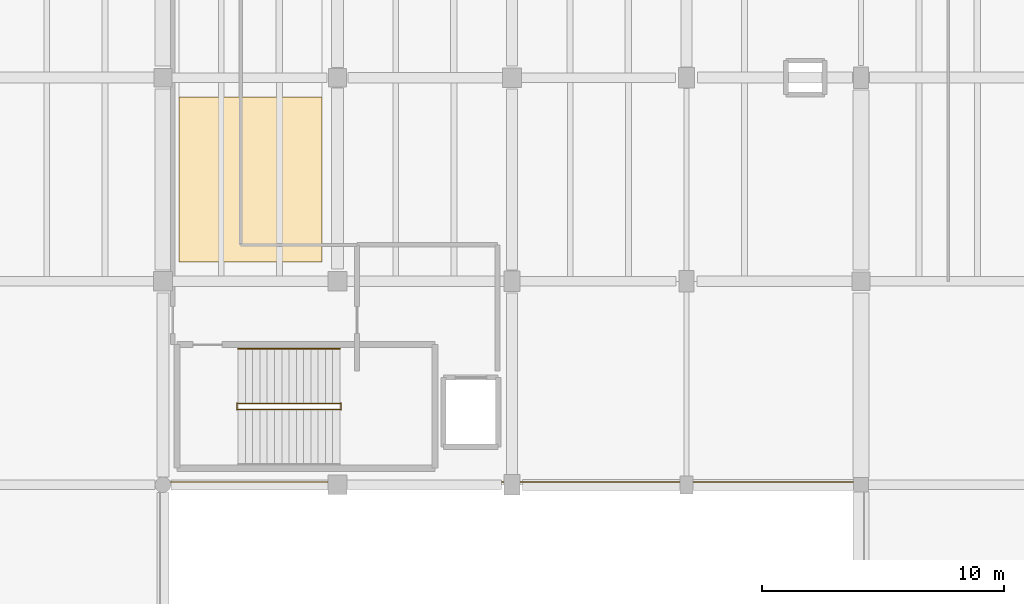
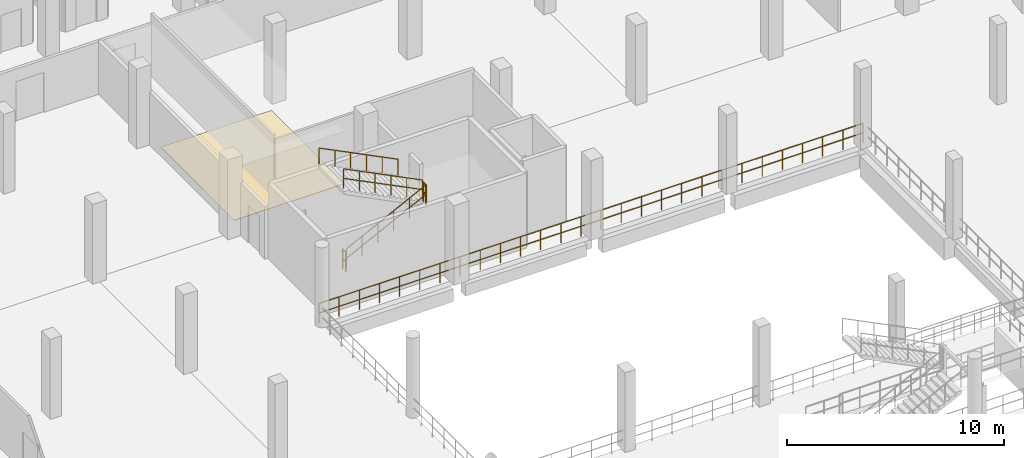
# One storey, part 120 of 124: 6 railings, 1 covering.
"""IFC4 building model written with IfcOpenShell, lengths in metres."""

from ifc_helpers import new_model, si_unit, direction, frame, origin, origin_2d, place, context, subcontext, project, spatial, polyline, circle, outline, extrude, material, layer, layer_set, type_object, element, save


model = new_model("IFC4")

# Units and contexts
model_context = context("Model", 3, precision=1e-05, world=origin(), true_north=direction((0.0, 1.0)))
body_context = subcontext(model_context, "Body", "Model", "MODEL_VIEW")
ifc_project = project(units=[si_unit("LENGTHUNIT", "METRE"), si_unit("AREAUNIT", "SQUARE_METRE"), si_unit("VOLUMEUNIT", "CUBIC_METRE"), si_unit("PLANEANGLEUNIT", "RADIAN"), si_unit("MASSUNIT", "GRAM", prefix="KILO")], contexts=[model_context])

# Site, building, storey
site_placement = place(None, origin())
site = spatial("IfcSite", under=ifc_project, at=site_placement, CompositionType="ELEMENT")
building_placement = place(site_placement, origin())
building = spatial("IfcBuilding", under=site, at=building_placement, Name="Kalluvel Institute of Natural Sciences", CompositionType="ELEMENT")
storey_placement = place(building_placement, frame((0.0, 0.0, 9.89990234375)))
storey = spatial("IfcBuildingStorey", under=building, at=storey_placement, Name="L02", CompositionType="ELEMENT", Elevation=9.89990234375)

# Covering
ifc_material_1 = material(Name="Seamless Chemical-Resistant Epoxy Flooring", Category="resin")
ifc_layer = layer(ifc_material_1, 0.014892578125)
ifc_layer_set = layer_set([ifc_layer], Name="Seamless Chemical-Resistant Epoxy Flooring")
covering_type = type_object("IfcCoveringType", Name="COV-FLR-EPOXY", PredefinedType="FLOORING", material=ifc_layer_set)
covering_placement = place(storey_placement, origin())
element("IfcCovering", 1, at=covering_placement, inside=storey, type_object=covering_type, Name="L02 seamless epoxy laboratory floor finish 6", PredefinedType="FLOORING", context=body_context, shape_type="SweptSolid", body=[
    extrude(outline(polyline([(43.449951171875, 103.60009765625), (49.35009765625, 103.60009765625), (49.35009765625, 110.39990234375), (43.449951171875, 110.39990234375), (43.449951171875, 103.60009765625)])), origin(), (0.0, 0.0, 1.0), 0.01513671875),
])

# Railings
ifc_material_2 = material(Name="Galvanized Fire-Rated Steel", Category="steel")
railing_type_1 = type_object("IfcRailingType", Name="RL-GD-ATRIUM", PredefinedType="BALUSTRADE", material=ifc_material_2)
railing_1_placement = place(storey_placement, frame((71.679931640625, 94.52001953125, 0.0)))
element("IfcRailing", 2, at=railing_1_placement, inside=storey, type_object=railing_type_1, Name="L02 Interaction Atrium void safety balustrade N", PredefinedType="BALUSTRADE", context=body_context, shape_type="SweptSolid", body=[
    extrude(circle(Radius=0.02392578125, at=origin_2d()), frame((0.0, 0.0, 1.09619140625), z_axis=(-1.0, 0.0, 0.0), x_axis=(0.0, -1.0, 0.0)), (0.0, 0.0, 1.0), 28.9599609375),
    extrude(circle(Radius=0.02392578125, at=origin_2d()), frame((0.0, 0.0, 0.56005859375), z_axis=(-1.0, 0.0, 0.0), x_axis=(0.0, -1.0, 0.0)), (0.0, 0.0, 1.0), 28.9599609375),
    extrude(circle(Radius=0.02099609375, at=origin_2d()), origin(), (0.0, 0.0, 1.0), 1.072021484375),
    extrude(circle(Radius=0.02099609375, at=origin_2d()), frame((-1.072509765625, 0.0, 0.0)), (0.0, 0.0, 1.0), 1.072021484375),
    extrude(circle(Radius=0.02099609375, at=origin_2d()), frame((-2.145263671875, 0.0, 0.0)), (0.0, 0.0, 1.0), 1.072021484375),
    extrude(circle(Radius=0.02099609375, at=origin_2d()), frame((-3.2177734375, 0.0, 0.0)), (0.0, 0.0, 1.0), 1.072021484375),
    extrude(circle(Radius=0.02099609375, at=origin_2d()), frame((-4.290283203125, 0.0, 0.0)), (0.0, 0.0, 1.0), 1.072021484375),
    extrude(circle(Radius=0.02099609375, at=origin_2d()), frame((-5.363037109375, 0.0, 0.0)), (0.0, 0.0, 1.0), 1.072021484375),
    extrude(circle(Radius=0.02099609375, at=origin_2d()), frame((-6.435546875, 0.0, 0.0)), (0.0, 0.0, 1.0), 1.072021484375),
    extrude(circle(Radius=0.02099609375, at=origin_2d()), frame((-7.508056640625, 0.0, 0.0)), (0.0, 0.0, 1.0), 1.072021484375),
    extrude(circle(Radius=0.02099609375, at=origin_2d()), frame((-8.580810546875, 0.0, 0.0)), (0.0, 0.0, 1.0), 1.072021484375),
    extrude(circle(Radius=0.02099609375, at=origin_2d()), frame((-9.6533203125, 0.0, 0.0)), (0.0, 0.0, 1.0), 1.072021484375),
    extrude(circle(Radius=0.02099609375, at=origin_2d()), frame((-10.725830078125, 0.0, 0.0)), (0.0, 0.0, 1.0), 1.072021484375),
    extrude(circle(Radius=0.02099609375, at=origin_2d()), frame((-11.798583984375, 0.0, 0.0)), (0.0, 0.0, 1.0), 1.072021484375),
    extrude(circle(Radius=0.02099609375, at=origin_2d()), frame((-12.87109375, 0.0, 0.0)), (0.0, 0.0, 1.0), 1.072021484375),
    extrude(circle(Radius=0.02099609375, at=origin_2d()), frame((-13.943603515625, 0.0, 0.0)), (0.0, 0.0, 1.0), 1.072021484375),
    extrude(circle(Radius=0.02099609375, at=origin_2d()), frame((-15.016357421875, 0.0, 0.0)), (0.0, 0.0, 1.0), 1.072021484375),
    extrude(circle(Radius=0.02099609375, at=origin_2d()), frame((-16.0888671875, 0.0, 0.0)), (0.0, 0.0, 1.0), 1.072021484375),
    extrude(circle(Radius=0.02099609375, at=origin_2d()), frame((-17.161376953125, 0.0, 0.0)), (0.0, 0.0, 1.0), 1.072021484375),
    extrude(circle(Radius=0.02099609375, at=origin_2d()), frame((-18.234130859375, 0.0, 0.0)), (0.0, 0.0, 1.0), 1.072021484375),
    extrude(circle(Radius=0.02099609375, at=origin_2d()), frame((-19.306640625, 0.0, 0.0)), (0.0, 0.0, 1.0), 1.072021484375),
    extrude(circle(Radius=0.02099609375, at=origin_2d()), frame((-20.379150390625, 0.0, 0.0)), (0.0, 0.0, 1.0), 1.072021484375),
    extrude(circle(Radius=0.02099609375, at=origin_2d()), frame((-21.451904296875, 0.0, 0.0)), (0.0, 0.0, 1.0), 1.072021484375),
    extrude(circle(Radius=0.02099609375, at=origin_2d()), frame((-22.5244140625, 0.0, 0.0)), (0.0, 0.0, 1.0), 1.072021484375),
    extrude(circle(Radius=0.02099609375, at=origin_2d()), frame((-23.596923828125, 0.0, 0.0)), (0.0, 0.0, 1.0), 1.072021484375),
    extrude(circle(Radius=0.02099609375, at=origin_2d()), frame((-24.669677734375, 0.0, 0.0)), (0.0, 0.0, 1.0), 1.072021484375),
    extrude(circle(Radius=0.02099609375, at=origin_2d()), frame((-25.7421875, 0.0, 0.0)), (0.0, 0.0, 1.0), 1.072021484375),
    extrude(circle(Radius=0.02099609375, at=origin_2d()), frame((-26.814697265625, 0.0, 0.0)), (0.0, 0.0, 1.0), 1.072021484375),
    extrude(circle(Radius=0.02099609375, at=origin_2d()), frame((-27.887451171875, 0.0, 0.0)), (0.0, 0.0, 1.0), 1.072021484375),
    extrude(circle(Radius=0.02099609375, at=origin_2d()), frame((-28.9599609375, 0.0, 0.0)), (0.0, 0.0, 1.0), 1.072021484375),
])
railing_type_2 = type_object("IfcRailingType", Name="RL-GD-STAIR", PredefinedType="BALUSTRADE", material=ifc_material_2)
railing_2_placement = place(storey_placement, frame((45.89990234375, 97.510009765625, 0.150146484375)))
element("IfcRailing", 3, at=railing_2_placement, inside=storey, type_object=railing_type_2, Name="L02 ST3 stair guard 1", PredefinedType="BALUSTRADE", context=body_context, shape_type="SweptSolid", body=[
    extrude(circle(Radius=0.02392578125, at=origin_2d()), frame((0.0, 0.0, 1.09619140625), z_axis=(0.894447986312, 0.0, 0.447172002457), x_axis=(0.0, 1.0, 0.0)), (0.0, 0.0, 1.0), 4.69580078125),
    extrude(circle(Radius=0.02392578125, at=origin_2d()), frame((0.0, 0.0, 0.56005859375), z_axis=(0.894447986312, 0.0, 0.447172002457), x_axis=(0.0, 1.0, 0.0)), (0.0, 0.0, 1.0), 4.69580078125),
    extrude(circle(Radius=0.02099609375, at=origin_2d()), origin(), (0.0, 0.0, 1.0), 1.072021484375),
    extrude(circle(Radius=0.02099609375, at=origin_2d()), frame((0.840087890625, 0.0, 0.419921875)), (0.0, 0.0, 1.0), 1.072021484375),
    extrude(circle(Radius=0.02099609375, at=origin_2d()), frame((1.68017578125, 0.0, 0.83984375)), (0.0, 0.0, 1.0), 1.072021484375),
    extrude(circle(Radius=0.02099609375, at=origin_2d()), frame((2.52001953125, 0.0, 1.260009765625)), (0.0, 0.0, 1.0), 1.072021484375),
    extrude(circle(Radius=0.02099609375, at=origin_2d()), frame((3.360107421875, 0.0, 1.679931640625)), (0.0, 0.0, 1.0), 1.072021484375),
    extrude(circle(Radius=0.02099609375, at=origin_2d()), frame((4.2001953125, 0.0, 2.099853515625)), (0.0, 0.0, 1.0), 1.072021484375),
])
railing_3_placement = place(storey_placement, frame((50.14990234375, 97.4951171875, 2.25)))
element("IfcRailing", 4, at=railing_3_placement, inside=storey, type_object=railing_type_2, Name="L02 ST3 stair guard 2", PredefinedType="BALUSTRADE", context=body_context, shape_type="SweptSolid", body=[
    extrude(circle(Radius=0.02392578125, at=origin_2d()), frame((0.0, 0.0, 1.09619140625), z_axis=(0.0, 1.0, 0.0), x_axis=(-1.0, 0.0, 0.0)), (0.0, 0.0, 1.0), 0.27978515625),
    extrude(circle(Radius=0.02392578125, at=origin_2d()), frame((0.0, 0.0, 0.56005859375), z_axis=(0.0, 1.0, 0.0), x_axis=(-1.0, 0.0, 0.0)), (0.0, 0.0, 1.0), 0.27978515625),
    extrude(circle(Radius=0.02099609375, at=origin_2d()), origin(), (0.0, 0.0, 1.0), 1.072021484375),
    extrude(circle(Radius=0.02099609375, at=origin_2d()), frame((0.0, 0.27978515625, 0.0)), (0.0, 0.0, 1.0), 1.072021484375),
])
railing_4_placement = place(storey_placement, frame((50.10009765625, 97.760009765625, 2.400146484375)))
element("IfcRailing", 5, at=railing_4_placement, inside=storey, type_object=railing_type_2, Name="L02 ST3 stair guard 3", PredefinedType="BALUSTRADE", context=body_context, shape_type="SweptSolid", body=[
    extrude(circle(Radius=0.02392578125, at=origin_2d()), frame((0.0, 0.0, 1.09619140625), z_axis=(-0.894447986312, 0.0, 0.447172002457), x_axis=(0.0, -1.0, 0.0)), (0.0, 0.0, 1.0), 4.69580078125),
    extrude(circle(Radius=0.02392578125, at=origin_2d()), frame((0.0, 0.0, 0.56005859375), z_axis=(-0.894447986312, 0.0, 0.447172002457), x_axis=(0.0, -1.0, 0.0)), (0.0, 0.0, 1.0), 4.69580078125),
    extrude(circle(Radius=0.02099609375, at=origin_2d()), origin(), (0.0, 0.0, 1.0), 1.072021484375),
    extrude(circle(Radius=0.02099609375, at=origin_2d()), frame((-0.840087890625, 0.0, 0.419921875)), (0.0, 0.0, 1.0), 1.072021484375),
    extrude(circle(Radius=0.02099609375, at=origin_2d()), frame((-1.68017578125, 0.0, 0.83984375)), (0.0, 0.0, 1.0), 1.072021484375),
    extrude(circle(Radius=0.02099609375, at=origin_2d()), frame((-2.52001953125, 0.0, 1.260009765625)), (0.0, 0.0, 1.0), 1.072021484375),
    extrude(circle(Radius=0.02099609375, at=origin_2d()), frame((-3.360107421875, 0.0, 1.679931640625)), (0.0, 0.0, 1.0), 1.072021484375),
    extrude(circle(Radius=0.02099609375, at=origin_2d()), frame((-4.2001953125, 0.0, 2.099853515625)), (0.0, 0.0, 1.0), 1.072021484375),
])
railing_5_placement = place(storey_placement, frame((45.85009765625, 97.4951171875, 0.0)))
element("IfcRailing", 6, at=railing_5_placement, inside=storey, type_object=railing_type_2, Name="L02 ST3 stair guard 4", PredefinedType="BALUSTRADE", context=body_context, shape_type="SweptSolid", body=[
    extrude(circle(Radius=0.02392578125, at=origin_2d()), frame((0.0, 0.0, 1.09619140625), z_axis=(0.0, 1.0, 0.0), x_axis=(-1.0, 0.0, 0.0)), (0.0, 0.0, 1.0), 0.27978515625),
    extrude(circle(Radius=0.02392578125, at=origin_2d()), frame((0.0, 0.0, 0.56005859375), z_axis=(0.0, 1.0, 0.0), x_axis=(-1.0, 0.0, 0.0)), (0.0, 0.0, 1.0), 0.27978515625),
    extrude(circle(Radius=0.02099609375, at=origin_2d()), origin(), (0.0, 0.0, 1.0), 1.072021484375),
    extrude(circle(Radius=0.02099609375, at=origin_2d()), frame((0.0, 0.27978515625, 0.0)), (0.0, 0.0, 1.0), 1.072021484375),
])
railing_type_3 = type_object("IfcRailingType", Name="RL-HR-STAIR", PredefinedType="HANDRAIL", material=ifc_material_2)
railing_6_placement = place(storey_placement, frame((50.10009765625, 100.02001953125, 2.400146484375)))
element("IfcRailing", 7, at=railing_6_placement, inside=storey, type_object=railing_type_3, Name="L02 ST3 stair handrail 2", PredefinedType="HANDRAIL", context=body_context, shape_type="SweptSolid", body=[
    extrude(circle(Radius=0.02392578125, at=origin_2d()), frame((0.0, 0.0, 0.89599609375), z_axis=(-0.894447986312, 0.0, 0.447172002457), x_axis=(0.0, -1.0, 0.0)), (0.0, 0.0, 1.0), 4.69580078125),
    extrude(circle(Radius=0.02099609375, at=origin_2d()), origin(), (0.0, 0.0, 1.0), 0.871826171875),
    extrude(circle(Radius=0.02099609375, at=origin_2d()), frame((-0.840087890625, 0.0, 0.419921875)), (0.0, 0.0, 1.0), 0.871826171875),
    extrude(circle(Radius=0.02099609375, at=origin_2d()), frame((-1.68017578125, 0.0, 0.83984375)), (0.0, 0.0, 1.0), 0.871826171875),
    extrude(circle(Radius=0.02099609375, at=origin_2d()), frame((-2.52001953125, 0.0, 1.260009765625)), (0.0, 0.0, 1.0), 0.871826171875),
    extrude(circle(Radius=0.02099609375, at=origin_2d()), frame((-3.360107421875, 0.0, 1.679931640625)), (0.0, 0.0, 1.0), 0.871826171875),
    extrude(circle(Radius=0.02099609375, at=origin_2d()), frame((-4.2001953125, 0.0, 2.099853515625)), (0.0, 0.0, 1.0), 0.871826171875),
])

save(model, "model.ifc")
